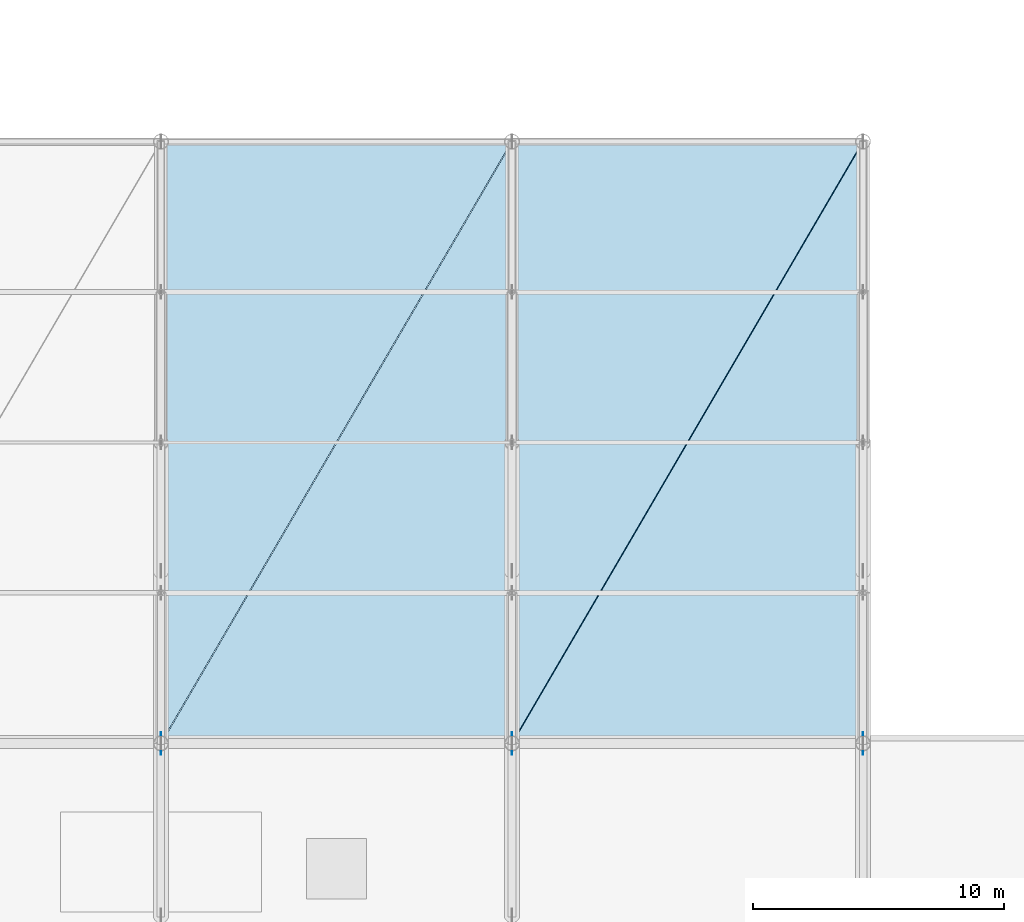
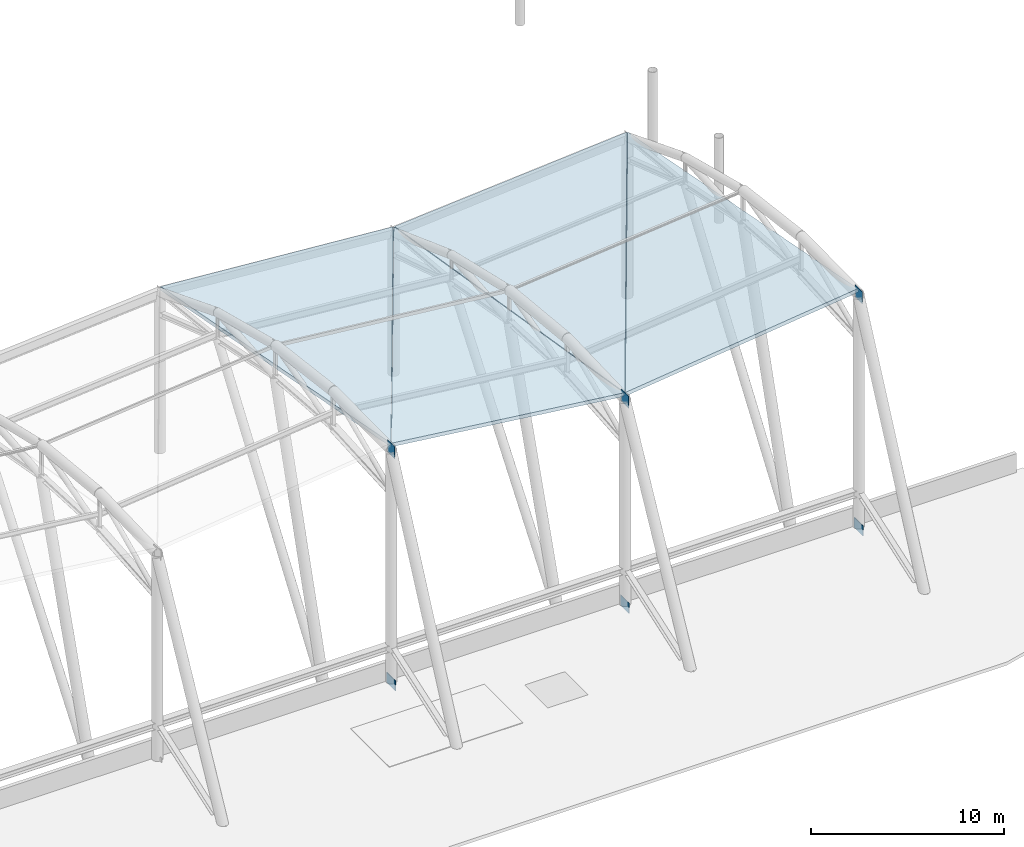
# One storey, part 60 of 90: 6 plates, 4 slabs.
"""IFC4 building model written with IfcOpenShell, lengths in metres."""

from ifc_helpers import new_model, si_unit, direction, frame, origin, origin_2d, place, context, subcontext, project, spatial, polyline, rectangle, outline, extrude, material, layer, layer_set, type_object, element, save


model = new_model("IFC4")

# Units and contexts
model_context = context("Model", 3, precision=1e-05, world=origin(), true_north=direction((0.0, 1.0)))
body_context = subcontext(model_context, "Body", "Model", "MODEL_VIEW")
ifc_project = project(units=[si_unit("LENGTHUNIT", "METRE"), si_unit("AREAUNIT", "SQUARE_METRE"), si_unit("VOLUMEUNIT", "CUBIC_METRE"), si_unit("PLANEANGLEUNIT", "RADIAN"), si_unit("MASSUNIT", "GRAM", prefix="KILO")], contexts=[model_context])

# Site, building, storey
site_placement = place(None, origin())
site = spatial("IfcSite", under=ifc_project, at=site_placement, CompositionType="ELEMENT")
building_placement = place(site_placement, origin())
building = spatial("IfcBuilding", under=site, at=building_placement, Name="Linyun Crest Stadium", CompositionType="ELEMENT")
storey_placement = place(building_placement, frame((0.0, 0.0, 21.0)))
storey = spatial("IfcBuildingStorey", under=building, at=storey_placement, Name="L05", CompositionType="ELEMENT", Elevation=21.0)

# Plates
ifc_material_1 = material(Name="Steel Q420C", Category="steel")
ifc_layer_1 = layer(ifc_material_1, 0.02392578125)
ifc_layer_set_1 = layer_set([ifc_layer_1], Name="Steel Q420C")
plate_type_1 = type_object("IfcPlateType", Name="EP02", PredefinedType="USERDEFINED", material=ifc_layer_set_1)
for number, where, z_axis, x_axis, name in (
    (1, (0.0, -73.5, 14.27001953125), (0.0, 0.0, 1.0), (0.0, 1.0, 0.0), "Roof mast cap end plate EP02 300"),
    (2, (14.0, -73.5, 12.56982421875), (0.0, 0.0, 1.0), (0.0, 1.0, 0.0), "Roof mast cap end plate EP02 313"),
    (3, (28.0, -73.5, 14.27001953125), (0.0, 0.0, 1.0), (0.0, 1.0, 0.0), "Roof mast cap end plate EP02 326"),
):
    element("IfcPlate", number, at=place(storey_placement, frame(where, z_axis=z_axis, x_axis=x_axis)), inside=storey, type_object=plate_type_1, Name=name, ObjectType="END PLATE", PredefinedType="USERDEFINED", context=body_context, shape_type="SweptSolid", body=[
        extrude(rectangle(XDim=0.760009765625, YDim=0.02392578125, at=origin_2d()), origin(), (0.0, 0.0, 1.0), 0.760009765625),
    ])
ifc_material_2 = material(Name="Steel Q420C", Category="steel")
ifc_layer_2 = layer(ifc_material_2, 0.031982421875)
ifc_layer_set_2 = layer_set([ifc_layer_2], Name="Steel Q420C")
plate_type_2 = type_object("IfcPlateType", Name="NP03", PredefinedType="USERDEFINED", material=ifc_layer_set_2)
for number, where, z_axis, x_axis, name in (
    (4, (0.0, -73.5, -0.3798828125), (0.0, 0.0, 1.0), (0.0, 1.0, 0.0), "Roof mast base gusset plate NP03 301"),
    (5, (14.0, -73.5, -0.3798828125), (0.0, 0.0, 1.0), (0.0, 1.0, 0.0), "Roof mast base gusset plate NP03 314"),
    (6, (28.0, -73.5, -0.3798828125), (0.0, 0.0, 1.0), (0.0, 1.0, 0.0), "Roof mast base gusset plate NP03 327"),
):
    element("IfcPlate", number, at=place(storey_placement, frame(where, z_axis=z_axis, x_axis=x_axis)), inside=storey, type_object=plate_type_2, Name=name, ObjectType="GUSSET PLATE", PredefinedType="USERDEFINED", context=body_context, shape_type="SweptSolid", body=[
        extrude(rectangle(XDim=0.89990234375, YDim=0.031982421875, at=origin_2d()), origin(), (0.0, 0.0, 1.0), 0.64990234375),
    ])

# Slabs
ifc_material_3 = material(Name="Concrete C40", Category="concrete")
ifc_layer_3 = layer(ifc_material_3, 0.205078125)
ifc_layer_set_3 = layer_set([ifc_layer_3], Name="Concrete C40")
slab_type_1 = type_object("IfcSlabType", Name="RS01", PredefinedType="ROOF", material=ifc_layer_set_3)
slab_1_placement = place(storey_placement, frame((0.0380859375, -73.467041015625, 15.0), z_axis=(0.118929603164, 0.163316871476, 0.979379062969), x_axis=(0.99269299789, 0.000712966628, -0.120665254394)))
element("IfcSlab", 7, at=slab_1_placement, inside=storey, type_object=slab_type_1, Name="Wave canopy roof deck RS01 V4 41", PredefinedType="ROOF", context=body_context, shape_type="SweptSolid", body=[
    extrude(outline(polyline([(0.0, 0.0), (14.03959909898505, 5.551115123125783e-17), (14.54879839476578, 24.233951866963565), (0.0, 0.0)])), origin(), (0.0, 0.0, -1.0), 0.205078125),
])
slab_2_placement = place(storey_placement, frame((14.0380859375, -73.467041015625, 13.308349609375), z_axis=(-0.11842007737, 0.186842282809, 0.975226459152), x_axis=(0.992724210107, 0.000712989045, 0.120408198696)))
element("IfcSlab", 8, at=slab_2_placement, inside=storey, type_object=slab_type_1, Name="Wave canopy roof deck RS01 V4 43", PredefinedType="ROOF", context=body_context, shape_type="SweptSolid", body=[
    extrude(outline(polyline([(0.0, 0.0), (14.039157680301338, 0.0), (13.515720116008753, 24.33790746693408), (0.0, 0.0)])), origin(), (0.0, 0.0, -1.0), 0.205078125),
])
ifc_material_4 = material(Name="Concrete C40", Category="concrete")
ifc_layer_4 = layer(ifc_material_4, 0.215087890625)
ifc_layer_set_4 = layer_set([ifc_layer_4], Name="Concrete C40")
slab_type_2 = type_object("IfcSlabType", Name="RS02", PredefinedType="ROOF", material=ifc_layer_set_4)
slab_3_placement = place(storey_placement, frame((0.013916015625, -73.451904296875, 14.999755859375), z_axis=(0.07722592293, 0.187604234629, 0.979204170731), x_axis=(0.493458678223, 0.846215428101, -0.201042239665)))
element("IfcSlab", 9, at=slab_3_placement, inside=storey, type_object=slab_type_2, Name="Wave canopy roof deck RS02 V4 42", PredefinedType="ROOF", context=body_context, shape_type="SweptSolid", body=[
    extrude(outline(polyline([(0.0, 0.0), (28.265787313953684, 1.7208456881689926e-15), (21.158615087762588, 12.039138807507646), (0.0, 0.0)])), origin(), (0.0, 0.0, -1.0), 0.215087890625),
])
slab_4_placement = place(storey_placement, frame((14.013916015625, -73.451904296875, 13.302978515625), z_axis=(-0.077535234089, 0.163979457599, 0.983411930454), x_axis=(0.50102461136, 0.859189988345, -0.103763686993)))
element("IfcSlab", 10, at=slab_4_placement, inside=storey, type_object=slab_type_2, Name="Wave canopy roof deck RS02 V4 44", PredefinedType="ROOF", context=body_context, shape_type="SweptSolid", body=[
    extrude(outline(polyline([(0.0, 0.0), (27.838947889232642, -5.551115123125783e-16), (20.961407912603413, 12.17142626258322), (0.0, 0.0)])), origin(), (0.0, 0.0, -1.0), 0.215087890625),
])

save(model, "model.ifc")
